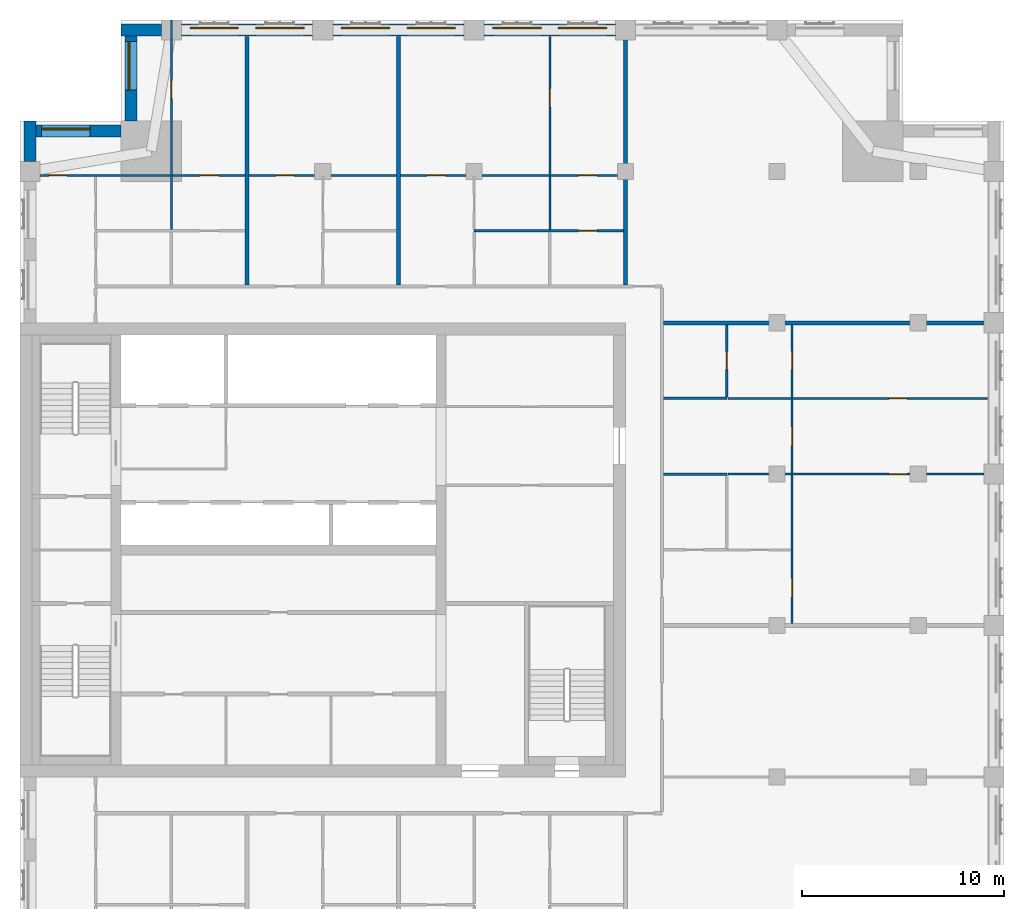
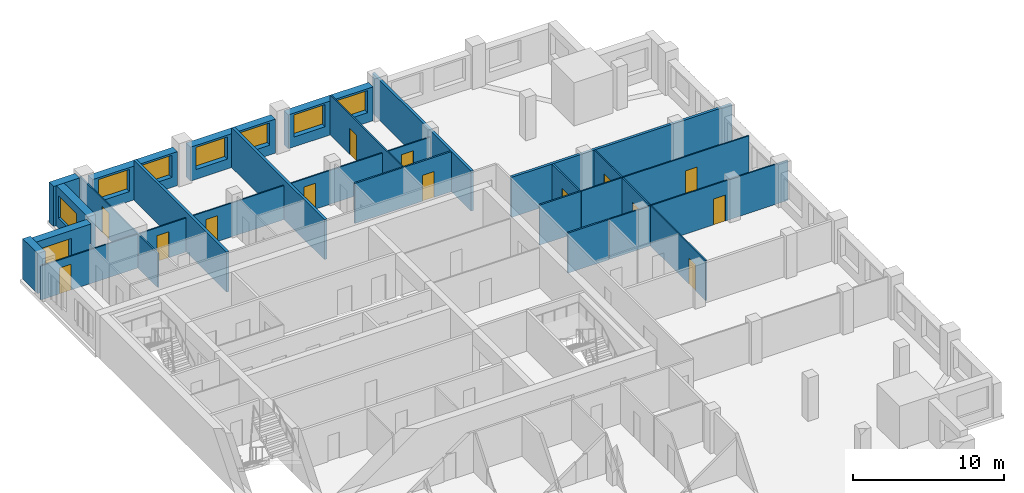
# One storey, part 7 of 10: 21 walls, 14 doors, 8 windows, 22 openings.
"""IFC4 building model written with IfcOpenShell, lengths in metres."""

from ifc_helpers import new_model, si_unit, direction, frame, frame_2d, origin, place, context, subcontext, project, spatial, rectangle, extrude, material, layer, layer_set, type_object, element, fill, save


model = new_model("IFC4")

# Units and contexts
model_context = context("Model", 3, precision=1e-05, world=origin(), true_north=direction((0.0, 1.0)))
body_context = subcontext(model_context, "Body", "Model", "MODEL_VIEW")
ifc_project = project(units=[si_unit("LENGTHUNIT", "METRE"), si_unit("AREAUNIT", "SQUARE_METRE"), si_unit("VOLUMEUNIT", "CUBIC_METRE"), si_unit("PLANEANGLEUNIT", "RADIAN"), si_unit("MASSUNIT", "GRAM", prefix="KILO")], contexts=[model_context])

# Site, building, storey
site_placement = place(None, origin())
site = spatial("IfcSite", under=ifc_project, at=site_placement, CompositionType="ELEMENT")
building_placement = place(site_placement, origin())
building = spatial("IfcBuilding", under=site, at=building_placement, Name="Tamorin Gate", CompositionType="ELEMENT")
storey_placement = place(building_placement, frame((0.0, 0.0, 251.199951171875)))
storey = spatial("IfcBuildingStorey", under=building, at=storey_placement, Name="L63", CompositionType="ELEMENT", Elevation=251.199951171875)

# Wall, openings, windows
ifc_material_1 = material(Name="Precast concrete C40/50", Category="concrete")
ifc_layer_1 = layer(ifc_material_1, 0.60009765625)
ifc_layer_set_1 = layer_set([ifc_layer_1], Name="Precast concrete C40/50")
wall_type_1 = type_object("IfcWallType", Name="Board-marked concrete facade panel 600", PredefinedType="SOLIDWALL", material=ifc_layer_set_1)
wall_1_placement = place(storey_placement, frame((59.5, 97.0, 0.0), z_axis=(0.0, 0.0, 1.0), x_axis=(-1.0, 0.0, 0.0)))
wall_1 = element("IfcWall", 1, at=wall_1_placement, inside=storey, type_object=wall_type_1, Name="Facade panel", PredefinedType="SOLIDWALL", context=body_context, shape_type="SweptSolid", body=[
    extrude(rectangle(XDim=6.5, YDim=0.60009765625, at=frame_2d((3.25, 0.0))), origin(), (0.0, 0.0, 1.0), 2.75),
])
opening_1_placement = place(wall_1_placement, frame((3.675048828125, 0.0, 0.800048828125)))
opening_1 = element("IfcOpeningElement", 2, at=opening_1_placement, cuts=wall_1, Name="Opening WN1", PredefinedType="OPENING", context=body_context, shape_type="SweptSolid", body=[
    extrude(rectangle(XDim=2.39990234375, YDim=1.800048828125, at=frame_2d((1.199951171875, 0.89990234375))), frame((0.0, 0.31005859375, 0.0), z_axis=(0.0, -1.0, 0.0), x_axis=(1.0, 0.0, 0.0)), (0.0, 0.0, 1.0), 0.6201171875),
])
opening_2_placement = place(wall_1_placement, frame((0.425048828125, 0.0, 0.800048828125)))
opening_2 = element("IfcOpeningElement", 3, at=opening_2_placement, cuts=wall_1, Name="Opening WN1", PredefinedType="OPENING", context=body_context, shape_type="SweptSolid", body=[
    extrude(rectangle(XDim=2.39990234375, YDim=1.800048828125, at=frame_2d((1.199951171875, 0.89990234375))), frame((0.0, 0.31005859375, 0.0), z_axis=(0.0, -1.0, 0.0), x_axis=(1.0, 0.0, 0.0)), (0.0, 0.0, 1.0), 0.6201171875),
])
ifc_material_2 = material(Name="Clear glass in aluminium frame", Category="aluminium")
window_type = type_object("IfcWindowType", Name="Deep-set window 2400x1800", PartitioningType="SINGLE_PANEL", PredefinedType="WINDOW", material=ifc_material_2)
window_1_placement = place(opening_1_placement, origin())
window_1 = element("IfcWindow", 4, at=window_1_placement, inside=storey, type_object=window_type, Name="Deep-set window", OverallHeight=1.800048828125, OverallWidth=2.39990234375, PartitioningType="SINGLE_PANEL", PredefinedType="WINDOW", context=body_context, shape_type="SweptSolid", body=[
    extrude(rectangle(XDim=2.39990234375, YDim=1.800048828125, at=frame_2d((1.199951171875, 0.89990234375))), frame((0.0, -0.070068359375, 0.0), z_axis=(0.0, -1.0, 0.0), x_axis=(1.0, 0.0, 0.0)), (0.0, 0.0, 1.0), 0.06005859375),
])
fill(opening_1, window_1)
window_2_placement = place(opening_2_placement, origin())
window_2 = element("IfcWindow", 5, at=window_2_placement, inside=storey, type_object=window_type, Name="Deep-set window", OverallHeight=1.800048828125, OverallWidth=2.39990234375, PartitioningType="SINGLE_PANEL", PredefinedType="WINDOW", context=body_context, shape_type="SweptSolid", body=[
    extrude(rectangle(XDim=2.39990234375, YDim=1.800048828125, at=frame_2d((1.199951171875, 0.89990234375))), frame((0.0, -0.070068359375, 0.0), z_axis=(0.0, -1.0, 0.0), x_axis=(1.0, 0.0, 0.0)), (0.0, 0.0, 1.0), 0.06005859375),
])
fill(opening_2, window_2)

wall_2_placement = place(storey_placement, frame((52.0, 97.0, 0.0), z_axis=(0.0, 0.0, 1.0), x_axis=(-1.0, 0.0, 0.0)))
wall_2 = element("IfcWall", 6, at=wall_2_placement, inside=storey, type_object=wall_type_1, Name="Facade panel", PredefinedType="SOLIDWALL", context=body_context, shape_type="SweptSolid", body=[
    extrude(rectangle(XDim=6.5, YDim=0.60009765625, at=frame_2d((3.25, 0.0))), origin(), (0.0, 0.0, 1.0), 2.75),
])
opening_3_placement = place(wall_2_placement, frame((3.675048828125, 0.0, 0.800048828125)))
opening_3 = element("IfcOpeningElement", 7, at=opening_3_placement, cuts=wall_2, Name="Opening WN1", PredefinedType="OPENING", context=body_context, shape_type="SweptSolid", body=[
    extrude(rectangle(XDim=2.39990234375, YDim=1.800048828125, at=frame_2d((1.199951171875, 0.89990234375))), frame((0.0, 0.31005859375, 0.0), z_axis=(0.0, -1.0, 0.0), x_axis=(1.0, 0.0, 0.0)), (0.0, 0.0, 1.0), 0.6201171875),
])
opening_4_placement = place(wall_2_placement, frame((0.425048828125, 0.0, 0.800048828125)))
opening_4 = element("IfcOpeningElement", 8, at=opening_4_placement, cuts=wall_2, Name="Opening WN1", PredefinedType="OPENING", context=body_context, shape_type="SweptSolid", body=[
    extrude(rectangle(XDim=2.39990234375, YDim=1.800048828125, at=frame_2d((1.199951171875, 0.89990234375))), frame((0.0, 0.31005859375, 0.0), z_axis=(0.0, -1.0, 0.0), x_axis=(1.0, 0.0, 0.0)), (0.0, 0.0, 1.0), 0.6201171875),
])
window_3_placement = place(opening_3_placement, origin())
window_3 = element("IfcWindow", 9, at=window_3_placement, inside=storey, type_object=window_type, Name="Deep-set window", OverallHeight=1.800048828125, OverallWidth=2.39990234375, PartitioningType="SINGLE_PANEL", PredefinedType="WINDOW", context=body_context, shape_type="SweptSolid", body=[
    extrude(rectangle(XDim=2.39990234375, YDim=1.800048828125, at=frame_2d((1.199951171875, 0.89990234375))), frame((0.0, -0.070068359375, 0.0), z_axis=(0.0, -1.0, 0.0), x_axis=(1.0, 0.0, 0.0)), (0.0, 0.0, 1.0), 0.06005859375),
])
fill(opening_3, window_3)
window_4_placement = place(opening_4_placement, origin())
window_4 = element("IfcWindow", 10, at=window_4_placement, inside=storey, type_object=window_type, Name="Deep-set window", OverallHeight=1.800048828125, OverallWidth=2.39990234375, PartitioningType="SINGLE_PANEL", PredefinedType="WINDOW", context=body_context, shape_type="SweptSolid", body=[
    extrude(rectangle(XDim=2.39990234375, YDim=1.800048828125, at=frame_2d((1.199951171875, 0.89990234375))), frame((0.0, -0.070068359375, 0.0), z_axis=(0.0, -1.0, 0.0), x_axis=(1.0, 0.0, 0.0)), (0.0, 0.0, 1.0), 0.06005859375),
])
fill(opening_4, window_4)

wall_3_placement = place(storey_placement, frame((44.5, 97.0, 0.0), z_axis=(0.0, 0.0, 1.0), x_axis=(-1.0, 0.0, 0.0)))
wall_3 = element("IfcWall", 11, at=wall_3_placement, inside=storey, type_object=wall_type_1, Name="Facade panel", PredefinedType="SOLIDWALL", context=body_context, shape_type="SweptSolid", body=[
    extrude(rectangle(XDim=6.5, YDim=0.60009765625, at=frame_2d((3.25, 0.0))), origin(), (0.0, 0.0, 1.0), 2.75),
])
opening_5_placement = place(wall_3_placement, frame((3.675048828125, 0.0, 0.800048828125)))
opening_5 = element("IfcOpeningElement", 12, at=opening_5_placement, cuts=wall_3, Name="Opening WN1", PredefinedType="OPENING", context=body_context, shape_type="SweptSolid", body=[
    extrude(rectangle(XDim=2.39990234375, YDim=1.800048828125, at=frame_2d((1.199951171875, 0.89990234375))), frame((0.0, 0.31005859375, 0.0), z_axis=(0.0, -1.0, 0.0), x_axis=(1.0, 0.0, 0.0)), (0.0, 0.0, 1.0), 0.6201171875),
])
opening_6_placement = place(wall_3_placement, frame((0.425048828125, 0.0, 0.800048828125)))
opening_6 = element("IfcOpeningElement", 13, at=opening_6_placement, cuts=wall_3, Name="Opening WN1", PredefinedType="OPENING", context=body_context, shape_type="SweptSolid", body=[
    extrude(rectangle(XDim=2.39990234375, YDim=1.800048828125, at=frame_2d((1.199951171875, 0.89990234375))), frame((0.0, 0.31005859375, 0.0), z_axis=(0.0, -1.0, 0.0), x_axis=(1.0, 0.0, 0.0)), (0.0, 0.0, 1.0), 0.6201171875),
])
window_5_placement = place(opening_5_placement, origin())
window_5 = element("IfcWindow", 14, at=window_5_placement, inside=storey, type_object=window_type, Name="Deep-set window", OverallHeight=1.800048828125, OverallWidth=2.39990234375, PartitioningType="SINGLE_PANEL", PredefinedType="WINDOW", context=body_context, shape_type="SweptSolid", body=[
    extrude(rectangle(XDim=2.39990234375, YDim=1.800048828125, at=frame_2d((1.199951171875, 0.89990234375))), frame((0.0, -0.070068359375, 0.0), z_axis=(0.0, -1.0, 0.0), x_axis=(1.0, 0.0, 0.0)), (0.0, 0.0, 1.0), 0.06005859375),
])
fill(opening_5, window_5)
window_6_placement = place(opening_6_placement, origin())
window_6 = element("IfcWindow", 15, at=window_6_placement, inside=storey, type_object=window_type, Name="Deep-set window", OverallHeight=1.800048828125, OverallWidth=2.39990234375, PartitioningType="SINGLE_PANEL", PredefinedType="WINDOW", context=body_context, shape_type="SweptSolid", body=[
    extrude(rectangle(XDim=2.39990234375, YDim=1.800048828125, at=frame_2d((1.199951171875, 0.89990234375))), frame((0.0, -0.070068359375, 0.0), z_axis=(0.0, -1.0, 0.0), x_axis=(1.0, 0.0, 0.0)), (0.0, 0.0, 1.0), 0.06005859375),
])
fill(opening_6, window_6)

# Wall
wall_4_placement = place(storey_placement, frame((37.0, 97.0, 0.0), z_axis=(0.0, 0.0, 1.0), x_axis=(-1.0, 0.0, 0.0)))
element("IfcWall", 16, at=wall_4_placement, inside=storey, type_object=wall_type_1, Name="Facade panel", PredefinedType="SOLIDWALL", context=body_context, shape_type="SweptSolid", body=[
    extrude(rectangle(XDim=2.0, YDim=0.60009765625, at=frame_2d((1.0, 0.0))), origin(), (0.0, 0.0, 1.0), 3.25),
])

# Wall, opening, window
wall_5_placement = place(storey_placement, frame((35.5, 96.699951171875, 0.0), z_axis=(0.0, 0.0, 1.0), x_axis=(0.0, -1.0, 0.0)))
wall_5 = element("IfcWall", 17, at=wall_5_placement, inside=storey, type_object=wall_type_1, Name="Facade panel", PredefinedType="SOLIDWALL", context=body_context, shape_type="SweptSolid", body=[
    extrude(rectangle(XDim=4.199951171875, YDim=0.60009765625, at=frame_2d((2.10009765625, 0.0))), origin(), (0.0, 0.0, 1.0), 3.25),
])
opening_7_placement = place(wall_5_placement, frame((0.27490234375, 0.0, 0.800048828125)))
opening_7 = element("IfcOpeningElement", 18, at=opening_7_placement, cuts=wall_5, Name="Opening WN1", PredefinedType="OPENING", context=body_context, shape_type="SweptSolid", body=[
    extrude(rectangle(XDim=2.39990234375, YDim=1.800048828125, at=frame_2d((1.199951171875, 0.89990234375))), frame((0.0, 0.31005859375, 0.0), z_axis=(0.0, -1.0, 0.0), x_axis=(1.0, 0.0, 0.0)), (0.0, 0.0, 1.0), 0.6201171875),
])
window_7_placement = place(opening_7_placement, origin())
window_7 = element("IfcWindow", 19, at=window_7_placement, inside=storey, type_object=window_type, Name="Deep-set window", OverallHeight=1.800048828125, OverallWidth=2.39990234375, PartitioningType="SINGLE_PANEL", PredefinedType="WINDOW", context=body_context, shape_type="SweptSolid", body=[
    extrude(rectangle(XDim=2.39990234375, YDim=1.800048828125, at=frame_2d((1.199951171875, 0.89990234375))), frame((0.0, -0.070068359375, 0.0), z_axis=(0.0, -1.0, 0.0), x_axis=(1.0, 0.0, 0.0)), (0.0, 0.0, 1.0), 0.06005859375),
])
fill(opening_7, window_7)

wall_6_placement = place(storey_placement, frame((35.0, 92.0, 0.0), z_axis=(0.0, 0.0, 1.0), x_axis=(-1.0, 0.0, 0.0)))
wall_6 = element("IfcWall", 20, at=wall_6_placement, inside=storey, type_object=wall_type_1, Name="Facade panel", PredefinedType="SOLIDWALL", context=body_context, shape_type="SweptSolid", body=[
    extrude(rectangle(XDim=4.199951171875, YDim=0.60009765625, at=frame_2d((2.10009765625, 0.0))), origin(), (0.0, 0.0, 1.0), 3.25),
])
opening_8_placement = place(wall_6_placement, frame((1.52490234375, 0.0, 0.800048828125)))
opening_8 = element("IfcOpeningElement", 21, at=opening_8_placement, cuts=wall_6, Name="Opening WN1", PredefinedType="OPENING", context=body_context, shape_type="SweptSolid", body=[
    extrude(rectangle(XDim=2.39990234375, YDim=1.800048828125, at=frame_2d((1.199951171875, 0.89990234375))), frame((0.0, 0.31005859375, 0.0), z_axis=(0.0, -1.0, 0.0), x_axis=(1.0, 0.0, 0.0)), (0.0, 0.0, 1.0), 0.6201171875),
])
window_8_placement = place(opening_8_placement, origin())
window_8 = element("IfcWindow", 22, at=window_8_placement, inside=storey, type_object=window_type, Name="Deep-set window", OverallHeight=1.800048828125, OverallWidth=2.39990234375, PartitioningType="SINGLE_PANEL", PredefinedType="WINDOW", context=body_context, shape_type="SweptSolid", body=[
    extrude(rectangle(XDim=2.39990234375, YDim=1.800048828125, at=frame_2d((1.199951171875, 0.89990234375))), frame((0.0, -0.070068359375, 0.0), z_axis=(0.0, -1.0, 0.0), x_axis=(1.0, 0.0, 0.0)), (0.0, 0.0, 1.0), 0.06005859375),
])
fill(opening_8, window_8)

# Walls
wall_7_placement = place(storey_placement, frame((30.5, 92.5, 0.0), z_axis=(0.0, 0.0, 1.0), x_axis=(0.0, -1.0, 0.0)))
element("IfcWall", 23, at=wall_7_placement, inside=storey, type_object=wall_type_1, Name="Facade panel", PredefinedType="SOLIDWALL", context=body_context, shape_type="SweptSolid", body=[
    extrude(rectangle(XDim=2.0, YDim=0.60009765625, at=frame_2d((1.0, 0.0))), origin(), (0.0, 0.0, 1.0), 3.25),
])
ifc_material_3 = material(Name="Gypsum board partition")
ifc_layer_2 = layer(ifc_material_3, 0.199951171875)
ifc_layer_set_2 = layer_set([ifc_layer_2], Name="Demising wall 200")
wall_type_2 = type_object("IfcWallType", Name="Demising wall 200", PredefinedType="PARTITIONING", material=ifc_layer_set_2)
wall_8_placement = place(storey_placement, frame((61.875, 82.5, 0.0), z_axis=(0.0, 0.0, 1.0), x_axis=(1.0, 0.0, 0.0)))
element("IfcWall", 24, at=wall_8_placement, inside=storey, type_object=wall_type_2, Name="Demising wall 200", PredefinedType="PARTITIONING", context=body_context, shape_type="SweptSolid", body=[
    extrude(rectangle(XDim=16.875, YDim=0.199951171875, at=frame_2d((8.4375, 0.0))), origin(), (0.0, 0.0, 1.0), 3.25),
])
for number, where, z_axis, x_axis, name in (
    (25, (41.25, 84.375, 0.0), (0.0, 0.0, 1.0), (0.0, 1.0, 0.0), "Demising wall 200"),
    (26, (48.75, 84.375, 0.0), (0.0, 0.0, 1.0), (0.0, 1.0, 0.0), "Demising wall 200"),
):
    element("IfcWall", number, at=place(storey_placement, frame(where, z_axis=z_axis, x_axis=x_axis)), inside=storey, type_object=wall_type_2, Name=name, PredefinedType="PARTITIONING", context=body_context, shape_type="SweptSolid", body=[
        extrude(rectangle(XDim=12.31494140625, YDim=0.199951171875, at=frame_2d((6.157470703125, 0.0))), origin(), (0.0, 0.0, 1.0), 3.25),
    ])
wall_9_placement = place(storey_placement, frame((60.0, 84.375, 0.0), z_axis=(0.0, 0.0, 1.0), x_axis=(0.0, 1.0, 0.0)))
element("IfcWall", 27, at=wall_9_placement, inside=storey, type_object=wall_type_2, Name="Demising wall 200", PredefinedType="PARTITIONING", context=body_context, shape_type="SweptSolid", body=[
    extrude(rectangle(XDim=13.125, YDim=0.199951171875, at=frame_2d((6.5625, 0.0))), origin(), (0.0, 0.0, 1.0), 3.25),
])

# Wall, opening, door
ifc_layer_3 = layer(ifc_material_3, 0.10009765625)
ifc_layer_set_3 = layer_set([ifc_layer_3], Name="Room partition 100")
wall_type_3 = type_object("IfcWallType", Name="Room partition 100", PredefinedType="PARTITIONING", material=ifc_layer_set_3)
wall_10_placement = place(storey_placement, frame((65.08740234375, 75.0, 0.0), z_axis=(0.0, 0.0, 1.0), x_axis=(1.0, 0.0, 0.0)))
wall_10 = element("IfcWall", 28, at=wall_10_placement, inside=storey, type_object=wall_type_3, Name="Room partition 100", PredefinedType="PARTITIONING", context=body_context, shape_type="SweptSolid", body=[
    extrude(rectangle(XDim=13.66259765625, YDim=0.10009765625, at=frame_2d((6.831298828125, 0.0))), origin(), (0.0, 0.0, 1.0), 3.25),
])
opening_9_placement = place(wall_10_placement, frame((7.96240234375, 0.0, 0.0)))
opening_9 = element("IfcOpeningElement", 29, at=opening_9_placement, cuts=wall_10, Name="Opening DR5049", PredefinedType="OPENING", context=body_context, shape_type="SweptSolid", body=[
    extrude(rectangle(XDim=0.89990234375, YDim=2.10009765625, at=frame_2d((0.449951171875, 1.050048828125))), frame((0.0, 0.06005859375, 0.0), z_axis=(0.0, -1.0, 0.0), x_axis=(1.0, 0.0, 0.0)), (0.0, 0.0, 1.0), 0.1201171875),
])
ifc_material_4 = material(Name="Timber door leaf", Category="wood")
door_type = type_object("IfcDoorType", Name="Door 900 x 2100", OperationType="NOTDEFINED", PredefinedType="DOOR", material=ifc_material_4)
door_1_placement = place(opening_9_placement, origin())
door_1 = element("IfcDoor", 30, at=door_1_placement, inside=storey, type_object=door_type, Name="Door DR5049", OperationType="SINGLE_SWING_RIGHT", OverallHeight=2.10009765625, OverallWidth=0.89990234375, PredefinedType="DOOR", context=body_context, shape_type="SweptSolid", body=[
    extrude(rectangle(XDim=0.89990234375, YDim=2.10009765625, at=frame_2d((0.449951171875, 1.050048828125))), frame((0.0, 0.02490234375, 0.0), z_axis=(0.0, -1.0, 0.0), x_axis=(1.0, 0.0, 0.0)), (0.0, 0.0, 1.0), 0.050048828125),
])
fill(opening_9, door_1)

wall_11_placement = place(storey_placement, frame((65.08740234375, 78.75, 0.0), z_axis=(0.0, 0.0, 1.0), x_axis=(1.0, 0.0, 0.0)))
wall_11 = element("IfcWall", 31, at=wall_11_placement, inside=storey, type_object=wall_type_3, Name="Room partition 100", PredefinedType="PARTITIONING", context=body_context, shape_type="SweptSolid", body=[
    extrude(rectangle(XDim=12.8525390625, YDim=0.10009765625, at=frame_2d((6.42626953125, 0.0))), origin(), (0.0, 0.0, 1.0), 3.25),
])
opening_10_placement = place(wall_11_placement, frame((7.96240234375, 0.0, 0.0)))
opening_10 = element("IfcOpeningElement", 32, at=opening_10_placement, cuts=wall_11, Name="Opening DR5050", PredefinedType="OPENING", context=body_context, shape_type="SweptSolid", body=[
    extrude(rectangle(XDim=0.89990234375, YDim=2.10009765625, at=frame_2d((0.449951171875, 1.050048828125))), frame((0.0, 0.06005859375, 0.0), z_axis=(0.0, -1.0, 0.0), x_axis=(1.0, 0.0, 0.0)), (0.0, 0.0, 1.0), 0.1201171875),
])
door_2_placement = place(opening_10_placement, origin())
door_2 = element("IfcDoor", 33, at=door_2_placement, inside=storey, type_object=door_type, Name="Door DR5050", OperationType="SINGLE_SWING_RIGHT", OverallHeight=2.10009765625, OverallWidth=0.89990234375, PredefinedType="DOOR", context=body_context, shape_type="SweptSolid", body=[
    extrude(rectangle(XDim=0.89990234375, YDim=2.10009765625, at=frame_2d((0.449951171875, 1.050048828125))), frame((0.0, 0.02490234375, 0.0), z_axis=(0.0, -1.0, 0.0), x_axis=(1.0, 0.0, 0.0)), (0.0, 0.0, 1.0), 0.050048828125),
])
fill(opening_10, door_2)

# Wall, openings, doors
wall_12_placement = place(storey_placement, frame((30.0, 89.800048828125, 0.0), z_axis=(0.0, 0.0, 1.0), x_axis=(1.0, 0.0, 0.0)))
wall_12 = element("IfcWall", 34, at=wall_12_placement, inside=storey, type_object=wall_type_3, Name="Room partition 100", PredefinedType="PARTITIONING", context=body_context, shape_type="SweptSolid", body=[
    extrude(rectangle(XDim=29.89990234375, YDim=0.10009765625, at=frame_2d((14.949951171875, 0.0))), origin(), (0.0, 0.0, 1.0), 2.75),
])
opening_11_placement = place(wall_12_placement, frame((1.425048828125, 0.0, 0.0)))
opening_11 = element("IfcOpeningElement", 35, at=opening_11_placement, cuts=wall_12, Name="Opening DR5023", PredefinedType="OPENING", context=body_context, shape_type="SweptSolid", body=[
    extrude(rectangle(XDim=0.89990234375, YDim=2.10009765625, at=frame_2d((0.449951171875, 1.050048828125))), frame((0.0, 0.06005859375, 0.0), z_axis=(0.0, -1.0, 0.0), x_axis=(1.0, 0.0, 0.0)), (0.0, 0.0, 1.0), 0.1201171875),
])
opening_12_placement = place(wall_12_placement, frame((8.925048828125, 0.0, 0.0)))
opening_12 = element("IfcOpeningElement", 36, at=opening_12_placement, cuts=wall_12, Name="Opening DR5026", PredefinedType="OPENING", context=body_context, shape_type="SweptSolid", body=[
    extrude(rectangle(XDim=0.89990234375, YDim=2.10009765625, at=frame_2d((0.449951171875, 1.050048828125))), frame((0.0, 0.06005859375, 0.0), z_axis=(0.0, -1.0, 0.0), x_axis=(1.0, 0.0, 0.0)), (0.0, 0.0, 1.0), 0.1201171875),
])
opening_13_placement = place(wall_12_placement, frame((12.675048828125, 0.0, 0.0)))
opening_13 = element("IfcOpeningElement", 37, at=opening_13_placement, cuts=wall_12, Name="Opening DR5030", PredefinedType="OPENING", context=body_context, shape_type="SweptSolid", body=[
    extrude(rectangle(XDim=0.89990234375, YDim=2.10009765625, at=frame_2d((0.449951171875, 1.050048828125))), frame((0.0, 0.06005859375, 0.0), z_axis=(0.0, -1.0, 0.0), x_axis=(1.0, 0.0, 0.0)), (0.0, 0.0, 1.0), 0.1201171875),
])
opening_14_placement = place(wall_12_placement, frame((20.175048828125, 0.0, 0.0)))
opening_14 = element("IfcOpeningElement", 38, at=opening_14_placement, cuts=wall_12, Name="Opening DR5034", PredefinedType="OPENING", context=body_context, shape_type="SweptSolid", body=[
    extrude(rectangle(XDim=0.89990234375, YDim=2.10009765625, at=frame_2d((0.449951171875, 1.050048828125))), frame((0.0, 0.06005859375, 0.0), z_axis=(0.0, -1.0, 0.0), x_axis=(1.0, 0.0, 0.0)), (0.0, 0.0, 1.0), 0.1201171875),
])
opening_15_placement = place(wall_12_placement, frame((27.675048828125, 0.0, 0.0)))
opening_15 = element("IfcOpeningElement", 39, at=opening_15_placement, cuts=wall_12, Name="Opening DR5037", PredefinedType="OPENING", context=body_context, shape_type="SweptSolid", body=[
    extrude(rectangle(XDim=0.89990234375, YDim=2.10009765625, at=frame_2d((0.449951171875, 1.050048828125))), frame((0.0, 0.06005859375, 0.0), z_axis=(0.0, -1.0, 0.0), x_axis=(1.0, 0.0, 0.0)), (0.0, 0.0, 1.0), 0.1201171875),
])
door_3_placement = place(opening_11_placement, origin())
door_3 = element("IfcDoor", 40, at=door_3_placement, inside=storey, type_object=door_type, Name="Door DR5023", OperationType="SINGLE_SWING_RIGHT", OverallHeight=2.10009765625, OverallWidth=0.89990234375, PredefinedType="DOOR", context=body_context, shape_type="SweptSolid", body=[
    extrude(rectangle(XDim=0.89990234375, YDim=2.10009765625, at=frame_2d((0.449951171875, 1.050048828125))), frame((0.0, 0.02490234375, 0.0), z_axis=(0.0, -1.0, 0.0), x_axis=(1.0, 0.0, 0.0)), (0.0, 0.0, 1.0), 0.050048828125),
])
fill(opening_11, door_3)
door_4_placement = place(opening_12_placement, origin())
door_4 = element("IfcDoor", 41, at=door_4_placement, inside=storey, type_object=door_type, Name="Door DR5026", OperationType="SINGLE_SWING_RIGHT", OverallHeight=2.10009765625, OverallWidth=0.89990234375, PredefinedType="DOOR", context=body_context, shape_type="SweptSolid", body=[
    extrude(rectangle(XDim=0.89990234375, YDim=2.10009765625, at=frame_2d((0.449951171875, 1.050048828125))), frame((0.0, 0.02490234375, 0.0), z_axis=(0.0, -1.0, 0.0), x_axis=(1.0, 0.0, 0.0)), (0.0, 0.0, 1.0), 0.050048828125),
])
fill(opening_12, door_4)
door_5_placement = place(opening_13_placement, origin())
door_5 = element("IfcDoor", 42, at=door_5_placement, inside=storey, type_object=door_type, Name="Door DR5030", OperationType="SINGLE_SWING_RIGHT", OverallHeight=2.10009765625, OverallWidth=0.89990234375, PredefinedType="DOOR", context=body_context, shape_type="SweptSolid", body=[
    extrude(rectangle(XDim=0.89990234375, YDim=2.10009765625, at=frame_2d((0.449951171875, 1.050048828125))), frame((0.0, 0.02490234375, 0.0), z_axis=(0.0, -1.0, 0.0), x_axis=(1.0, 0.0, 0.0)), (0.0, 0.0, 1.0), 0.050048828125),
])
fill(opening_13, door_5)
door_6_placement = place(opening_14_placement, origin())
door_6 = element("IfcDoor", 43, at=door_6_placement, inside=storey, type_object=door_type, Name="Door DR5034", OperationType="SINGLE_SWING_RIGHT", OverallHeight=2.10009765625, OverallWidth=0.89990234375, PredefinedType="DOOR", context=body_context, shape_type="SweptSolid", body=[
    extrude(rectangle(XDim=0.89990234375, YDim=2.10009765625, at=frame_2d((0.449951171875, 1.050048828125))), frame((0.0, 0.02490234375, 0.0), z_axis=(0.0, -1.0, 0.0), x_axis=(1.0, 0.0, 0.0)), (0.0, 0.0, 1.0), 0.050048828125),
])
fill(opening_14, door_6)
door_7_placement = place(opening_15_placement, origin())
door_7 = element("IfcDoor", 44, at=door_7_placement, inside=storey, type_object=door_type, Name="Door DR5037", OperationType="SINGLE_SWING_RIGHT", OverallHeight=2.10009765625, OverallWidth=0.89990234375, PredefinedType="DOOR", context=body_context, shape_type="SweptSolid", body=[
    extrude(rectangle(XDim=0.89990234375, YDim=2.10009765625, at=frame_2d((0.449951171875, 1.050048828125))), frame((0.0, 0.02490234375, 0.0), z_axis=(0.0, -1.0, 0.0), x_axis=(1.0, 0.0, 0.0)), (0.0, 0.0, 1.0), 0.050048828125),
])
fill(opening_15, door_7)

# Wall, opening, door
wall_13_placement = place(storey_placement, frame((37.5, 87.112548828125, 0.0), z_axis=(0.0, 0.0, 1.0), x_axis=(0.0, 1.0, 0.0)))
wall_13 = element("IfcWall", 45, at=wall_13_placement, inside=storey, type_object=wall_type_3, Name="Room partition 100", PredefinedType="PARTITIONING", context=body_context, shape_type="SweptSolid", body=[
    extrude(rectangle(XDim=10.387451171875, YDim=0.10009765625, at=frame_2d((5.19384765625, 0.0))), origin(), (0.0, 0.0, 1.0), 2.75),
])
opening_16_placement = place(wall_13_placement, frame((6.487548828125, 0.0, 0.0)))
opening_16 = element("IfcOpeningElement", 46, at=opening_16_placement, cuts=wall_13, Name="Opening DR5028", PredefinedType="OPENING", context=body_context, shape_type="SweptSolid", body=[
    extrude(rectangle(XDim=0.89990234375, YDim=2.10009765625, at=frame_2d((0.449951171875, 1.050048828125))), frame((0.0, 0.06005859375, 0.0), z_axis=(0.0, -1.0, 0.0), x_axis=(1.0, 0.0, 0.0)), (0.0, 0.0, 1.0), 0.1201171875),
])
door_8_placement = place(opening_16_placement, origin())
door_8 = element("IfcDoor", 47, at=door_8_placement, inside=storey, type_object=door_type, Name="Door DR5028", OperationType="SINGLE_SWING_RIGHT", OverallHeight=2.10009765625, OverallWidth=0.89990234375, PredefinedType="DOOR", context=body_context, shape_type="SweptSolid", body=[
    extrude(rectangle(XDim=0.89990234375, YDim=2.10009765625, at=frame_2d((0.449951171875, 1.050048828125))), frame((0.0, 0.02490234375, 0.0), z_axis=(0.0, -1.0, 0.0), x_axis=(1.0, 0.0, 0.0)), (0.0, 0.0, 1.0), 0.050048828125),
])
fill(opening_16, door_8)

wall_14_placement = place(storey_placement, frame((56.25, 87.112548828125, 0.0), z_axis=(0.0, 0.0, 1.0), x_axis=(0.0, 1.0, 0.0)))
wall_14 = element("IfcWall", 48, at=wall_14_placement, inside=storey, type_object=wall_type_3, Name="Room partition 100", PredefinedType="PARTITIONING", context=body_context, shape_type="SweptSolid", body=[
    extrude(rectangle(XDim=9.577392578125, YDim=0.10009765625, at=frame_2d((4.78857421875, 0.0))), origin(), (0.0, 0.0, 1.0), 3.25),
])
opening_17_placement = place(wall_14_placement, frame((6.08740234375, 0.0, 0.0)))
opening_17 = element("IfcOpeningElement", 49, at=opening_17_placement, cuts=wall_14, Name="Opening DR5039", PredefinedType="OPENING", context=body_context, shape_type="SweptSolid", body=[
    extrude(rectangle(XDim=0.89990234375, YDim=2.10009765625, at=frame_2d((0.449951171875, 1.050048828125))), frame((0.0, 0.06005859375, 0.0), z_axis=(0.0, -1.0, 0.0), x_axis=(1.0, 0.0, 0.0)), (0.0, 0.0, 1.0), 0.1201171875),
])
door_9_placement = place(opening_17_placement, origin())
door_9 = element("IfcDoor", 50, at=door_9_placement, inside=storey, type_object=door_type, Name="Door DR5039", OperationType="SINGLE_SWING_LEFT", OverallHeight=2.10009765625, OverallWidth=0.89990234375, PredefinedType="DOOR", context=body_context, shape_type="SweptSolid", body=[
    extrude(rectangle(XDim=0.89990234375, YDim=2.10009765625, at=frame_2d((0.449951171875, 1.050048828125))), frame((0.0, 0.02490234375, 0.0), z_axis=(0.0, -1.0, 0.0), x_axis=(1.0, 0.0, 0.0)), (0.0, 0.0, 1.0), 0.050048828125),
])
fill(opening_17, door_9)

# Wall, openings, doors
wall_15_placement = place(storey_placement, frame((68.25, 67.60009765625, 0.0), z_axis=(0.0, 0.0, 1.0), x_axis=(0.0, 1.0, 0.0)))
wall_15 = element("IfcWall", 51, at=wall_15_placement, inside=storey, type_object=wall_type_3, Name="Room partition 100", PredefinedType="PARTITIONING", context=body_context, shape_type="SweptSolid", body=[
    extrude(rectangle(XDim=14.7998046875, YDim=0.10009765625, at=frame_2d((7.39990234375, 0.0))), origin(), (0.0, 0.0, 1.0), 3.25),
])
opening_18_placement = place(wall_15_placement, frame((1.324951171875, 0.0, 0.0)))
opening_18 = element("IfcOpeningElement", 52, at=opening_18_placement, cuts=wall_15, Name="Opening DR5043", PredefinedType="OPENING", context=body_context, shape_type="SweptSolid", body=[
    extrude(rectangle(XDim=0.89990234375, YDim=2.10009765625, at=frame_2d((0.449951171875, 1.050048828125))), frame((0.0, 0.06005859375, 0.0), z_axis=(0.0, -1.0, 0.0), x_axis=(1.0, 0.0, 0.0)), (0.0, 0.0, 1.0), 0.1201171875),
])
opening_19_placement = place(wall_15_placement, frame((8.824951171875, 0.0, 0.0)))
opening_19 = element("IfcOpeningElement", 53, at=opening_19_placement, cuts=wall_15, Name="Opening DR5046", PredefinedType="OPENING", context=body_context, shape_type="SweptSolid", body=[
    extrude(rectangle(XDim=0.89990234375, YDim=2.10009765625, at=frame_2d((0.449951171875, 1.050048828125))), frame((0.0, 0.06005859375, 0.0), z_axis=(0.0, -1.0, 0.0), x_axis=(1.0, 0.0, 0.0)), (0.0, 0.0, 1.0), 0.1201171875),
])
opening_20_placement = place(wall_15_placement, frame((12.574951171875, 0.0, 0.0)))
opening_20 = element("IfcOpeningElement", 54, at=opening_20_placement, cuts=wall_15, Name="Opening DR5047", PredefinedType="OPENING", context=body_context, shape_type="SweptSolid", body=[
    extrude(rectangle(XDim=0.89990234375, YDim=2.10009765625, at=frame_2d((0.449951171875, 1.050048828125))), frame((0.0, 0.06005859375, 0.0), z_axis=(0.0, -1.0, 0.0), x_axis=(1.0, 0.0, 0.0)), (0.0, 0.0, 1.0), 0.1201171875),
])
door_10_placement = place(opening_18_placement, origin())
door_10 = element("IfcDoor", 55, at=door_10_placement, inside=storey, type_object=door_type, Name="Door DR5043", OperationType="SINGLE_SWING_LEFT", OverallHeight=2.10009765625, OverallWidth=0.89990234375, PredefinedType="DOOR", context=body_context, shape_type="SweptSolid", body=[
    extrude(rectangle(XDim=0.89990234375, YDim=2.10009765625, at=frame_2d((0.449951171875, 1.050048828125))), frame((0.0, 0.02490234375, 0.0), z_axis=(0.0, -1.0, 0.0), x_axis=(1.0, 0.0, 0.0)), (0.0, 0.0, 1.0), 0.050048828125),
])
fill(opening_18, door_10)
door_11_placement = place(opening_19_placement, origin())
door_11 = element("IfcDoor", 56, at=door_11_placement, inside=storey, type_object=door_type, Name="Door DR5046", OperationType="SINGLE_SWING_LEFT", OverallHeight=2.10009765625, OverallWidth=0.89990234375, PredefinedType="DOOR", context=body_context, shape_type="SweptSolid", body=[
    extrude(rectangle(XDim=0.89990234375, YDim=2.10009765625, at=frame_2d((0.449951171875, 1.050048828125))), frame((0.0, 0.02490234375, 0.0), z_axis=(0.0, -1.0, 0.0), x_axis=(1.0, 0.0, 0.0)), (0.0, 0.0, 1.0), 0.050048828125),
])
fill(opening_19, door_11)
door_12_placement = place(opening_20_placement, origin())
door_12 = element("IfcDoor", 57, at=door_12_placement, inside=storey, type_object=door_type, Name="Door DR5047", OperationType="SINGLE_SWING_LEFT", OverallHeight=2.10009765625, OverallWidth=0.89990234375, PredefinedType="DOOR", context=body_context, shape_type="SweptSolid", body=[
    extrude(rectangle(XDim=0.89990234375, YDim=2.10009765625, at=frame_2d((0.449951171875, 1.050048828125))), frame((0.0, 0.02490234375, 0.0), z_axis=(0.0, -1.0, 0.0), x_axis=(1.0, 0.0, 0.0)), (0.0, 0.0, 1.0), 0.050048828125),
])
fill(opening_20, door_12)

# Walls
ifc_layer_4 = layer(ifc_material_3, 0.125)
ifc_layer_set_4 = layer_set([ifc_layer_4], Name="Wet wall 125")
wall_type_4 = type_object("IfcWallType", Name="Wet wall 125", PredefinedType="PARTITIONING", material=ifc_layer_set_4)
for number, where, z_axis, x_axis, name in (
    (58, (61.875, 75.0, 0.0), (0.0, 0.0, 1.0), (1.0, 0.0, 0.0), "Wet wall 125"),
    (59, (61.875, 78.75, 0.0), (0.0, 0.0, 1.0), (1.0, 0.0, 0.0), "Wet wall 125"),
):
    element("IfcWall", number, at=place(storey_placement, frame(where, z_axis=z_axis, x_axis=x_axis)), inside=storey, type_object=wall_type_4, Name=name, PredefinedType="PARTITIONING", context=body_context, shape_type="SweptSolid", body=[
        extrude(rectangle(XDim=3.14990234375, YDim=0.125, at=frame_2d((1.574951171875, 0.0))), origin(), (0.0, 0.0, 1.0), 3.25),
    ])

# Wall, opening, door
wall_16_placement = place(storey_placement, frame((52.5, 87.050048828125, 0.0), z_axis=(0.0, 0.0, 1.0), x_axis=(1.0, 0.0, 0.0)))
wall_16 = element("IfcWall", 60, at=wall_16_placement, inside=storey, type_object=wall_type_4, Name="Wet wall 125", PredefinedType="PARTITIONING", context=body_context, shape_type="SweptSolid", body=[
    extrude(rectangle(XDim=7.39990234375, YDim=0.125, at=frame_2d((3.699951171875, 0.0))), origin(), (0.0, 0.0, 1.0), 3.25),
])
opening_21_placement = place(wall_16_placement, frame((5.175048828125, 0.0, 0.0)))
opening_21 = element("IfcOpeningElement", 61, at=opening_21_placement, cuts=wall_16, Name="Opening DR5038", PredefinedType="OPENING", context=body_context, shape_type="SweptSolid", body=[
    extrude(rectangle(XDim=0.89990234375, YDim=2.10009765625, at=frame_2d((0.449951171875, 1.050048828125))), frame((0.0, 0.072509765625, 0.0), z_axis=(0.0, -1.0, 0.0), x_axis=(1.0, 0.0, 0.0)), (0.0, 0.0, 1.0), 0.14501953125),
])
door_13_placement = place(opening_21_placement, origin())
door_13 = element("IfcDoor", 62, at=door_13_placement, inside=storey, type_object=door_type, Name="Door DR5038", OperationType="SINGLE_SWING_RIGHT", OverallHeight=2.10009765625, OverallWidth=0.89990234375, PredefinedType="DOOR", context=body_context, shape_type="SweptSolid", body=[
    extrude(rectangle(XDim=0.89990234375, YDim=2.10009765625, at=frame_2d((0.449951171875, 1.050048828125))), frame((0.0, 0.02490234375, 0.0), z_axis=(0.0, -1.0, 0.0), x_axis=(1.0, 0.0, 0.0)), (0.0, 0.0, 1.0), 0.050048828125),
])
fill(opening_21, door_13)

wall_17_placement = place(storey_placement, frame((65.02490234375, 78.8125, 0.0), z_axis=(0.0, 0.0, 1.0), x_axis=(0.0, 1.0, 0.0)))
wall_17 = element("IfcWall", 63, at=wall_17_placement, inside=storey, type_object=wall_type_4, Name="Wet wall 125", PredefinedType="PARTITIONING", context=body_context, shape_type="SweptSolid", body=[
    extrude(rectangle(XDim=3.58740234375, YDim=0.125, at=frame_2d((1.793701171875, 0.0))), origin(), (0.0, 0.0, 1.0), 3.25),
])
opening_22_placement = place(wall_17_placement, frame((1.362548828125, 0.0, 0.0)))
opening_22 = element("IfcOpeningElement", 64, at=opening_22_placement, cuts=wall_17, Name="Opening DR5048", PredefinedType="OPENING", context=body_context, shape_type="SweptSolid", body=[
    extrude(rectangle(XDim=0.89990234375, YDim=2.10009765625, at=frame_2d((0.449951171875, 1.050048828125))), frame((0.0, 0.072509765625, 0.0), z_axis=(0.0, -1.0, 0.0), x_axis=(1.0, 0.0, 0.0)), (0.0, 0.0, 1.0), 0.14501953125),
])
door_14_placement = place(opening_22_placement, origin())
door_14 = element("IfcDoor", 65, at=door_14_placement, inside=storey, type_object=door_type, Name="Door DR5048", OperationType="SINGLE_SWING_LEFT", OverallHeight=2.10009765625, OverallWidth=0.89990234375, PredefinedType="DOOR", context=body_context, shape_type="SweptSolid", body=[
    extrude(rectangle(XDim=0.89990234375, YDim=2.10009765625, at=frame_2d((0.449951171875, 1.050048828125))), frame((0.0, 0.02490234375, 0.0), z_axis=(0.0, -1.0, 0.0), x_axis=(1.0, 0.0, 0.0)), (0.0, 0.0, 1.0), 0.050048828125),
])
fill(opening_22, door_14)

save(model, "model.ifc")
